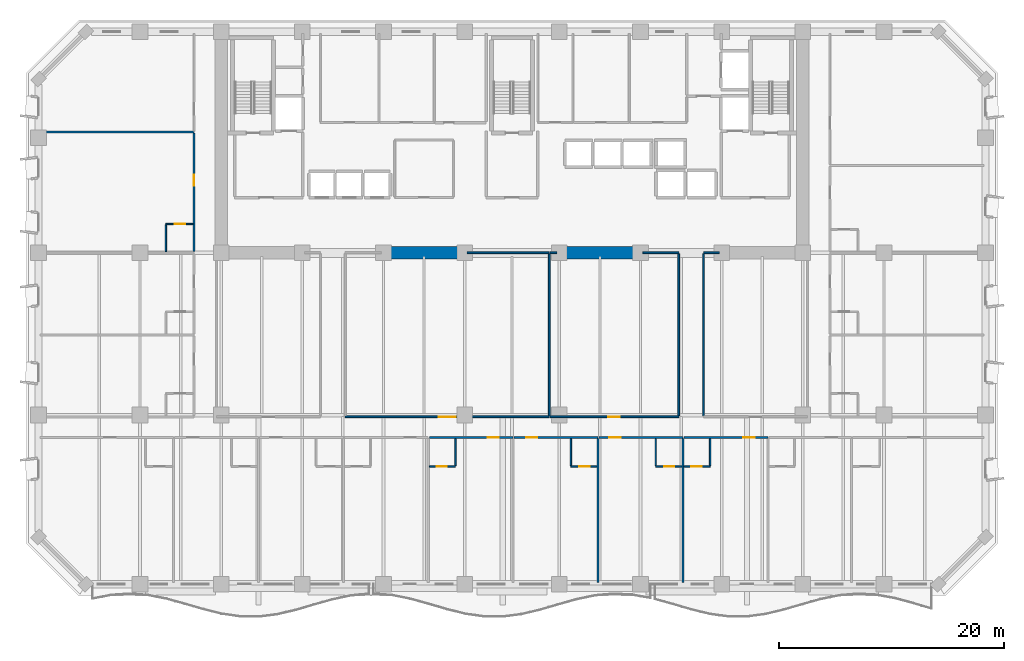
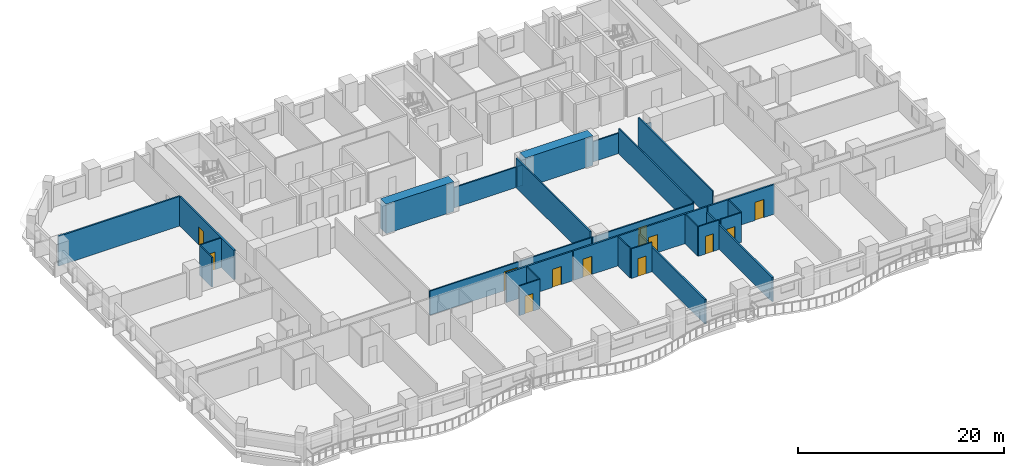
# One storey, part 6 of 15: 29 walls, 12 doors, 12 openings.
"""IFC4 building model written with IfcOpenShell, lengths in metres."""

from ifc_helpers import new_model, si_unit, direction, frame, frame_2d, origin, place, context, subcontext, project, spatial, rectangle, extrude, material, layer, layer_set, type_object, element, fill, save


model = new_model("IFC4")

# Units and contexts
model_context = context("Model", 3, precision=1e-05, world=origin(), true_north=direction((0.0, 1.0)))
body_context = subcontext(model_context, "Body", "Model", "MODEL_VIEW")
ifc_project = project(units=[si_unit("LENGTHUNIT", "METRE"), si_unit("AREAUNIT", "SQUARE_METRE"), si_unit("VOLUMEUNIT", "CUBIC_METRE"), si_unit("PLANEANGLEUNIT", "RADIAN"), si_unit("MASSUNIT", "GRAM", prefix="KILO")], contexts=[model_context])

# Site, building, storey
site_placement = place(None, origin())
site = spatial("IfcSite", under=ifc_project, at=site_placement, CompositionType="ELEMENT")
building_placement = place(site_placement, origin())
building = spatial("IfcBuilding", under=site, at=building_placement, Name="Kaelvorn Grand Hotel", CompositionType="ELEMENT")
storey_placement = place(building_placement, frame((0.0, 0.0, 68.89990234375)))
storey = spatial("IfcBuildingStorey", under=building, at=storey_placement, Name="L15", CompositionType="ELEMENT", Elevation=68.89990234375)

# Walls
ifc_material_1 = material(Name="Concrete C80/95", Category="concrete")
ifc_layer_1 = layer(ifc_material_1, 1.10009765625)
ifc_layer_set_1 = layer_set([ifc_layer_1], Name="Concrete C80/95")
wall_type_1 = type_object("IfcWallType", Name="WL-CORE-1100-C80", PredefinedType="SHEAR", material=ifc_layer_set_1)
for number, where, z_axis, x_axis, name in (
    (1, (30.39990234375, 29.39990234375, 0.0), (0.0, 0.0, 1.0), (1.0, 0.0, 0.0), "L15 Rear-Core Coupled Shear Pier S2"),
    (2, (46.0, 29.39990234375, 0.0), (0.0, 0.0, 1.0), (1.0, 0.0, 0.0), "L15 Rear-Core Coupled Shear Pier S3"),
):
    element("IfcWall", number, at=place(storey_placement, frame(where, z_axis=z_axis, x_axis=x_axis)), inside=storey, type_object=wall_type_1, Name=name, PredefinedType="SHEAR", context=body_context, shape_type="SweptSolid", body=[
        extrude(rectangle(XDim=7.60009765625, YDim=1.10009765625, at=frame_2d((3.800048828125, 0.0))), origin(), (0.0, 0.0, 1.0), 3.510009765625),
    ])

# Wall, opening, door
ifc_material_2 = material(Name="Moisture-Resistant Tile & Stud Board")
ifc_layer_2 = layer(ifc_material_2, 0.125)
ifc_layer_set_2 = layer_set([ifc_layer_2], Name="Moisture-Resistant Tile & Stud Board")
wall_type_2 = type_object("IfcWallType", Name="WL-PART-125-WET", PredefinedType="PARTITIONING", material=ifc_layer_set_2)
wall_1_placement = place(storey_placement, frame((34.665283203125, 10.449951171875, 0.0), z_axis=(0.0, 0.0, 1.0), x_axis=(1.0, 0.0, 0.0)))
wall_1 = element("IfcWall", 3, at=wall_1_placement, inside=storey, type_object=wall_type_2, Name="L15 En-suite Bathroom L15-05 S Partition", PredefinedType="PARTITIONING", context=body_context, shape_type="SweptSolid", body=[
    extrude(rectangle(XDim=2.31494140625, YDim=0.125, at=frame_2d((1.157470703125, 0.0))), origin(), (0.0, 0.0, 1.0), 3.510009765625),
])
opening_1_placement = place(wall_1_placement, frame((0.659912109375, 0.0, 0.0)))
opening_1 = element("IfcOpeningElement", 4, at=opening_1_placement, cuts=wall_1, Name="Opening DI4", PredefinedType="OPENING", context=body_context, shape_type="SweptSolid", body=[
    extrude(rectangle(XDim=0.89990234375, YDim=2.10009765625, at=frame_2d((0.449951171875, 1.050048828125))), frame((0.0, 0.072509765625, 0.0), z_axis=(0.0, -1.0, 0.0), x_axis=(1.0, 0.0, 0.0)), (0.0, 0.0, 1.0), 0.14501953125),
])
ifc_material_3 = material(Name="Timber Veneer Leaf", Category="wood")
door_type_1 = type_object("IfcDoorType", Name="DR-INT-BATH-900x2100", OperationType="NOTDEFINED", PredefinedType="DOOR", material=ifc_material_3)
door_1_placement = place(opening_1_placement, origin())
door_1 = element("IfcDoor", 5, at=door_1_placement, inside=storey, type_object=door_type_1, Name="L15 En-suite Bathroom L15-05 Door", OperationType="SINGLE_SWING_LEFT", OverallHeight=2.10009765625, OverallWidth=0.89990234375, PredefinedType="DOOR", context=body_context, shape_type="SweptSolid", body=[
    extrude(rectangle(XDim=0.89990234375, YDim=2.10009765625, at=frame_2d((0.449951171875, 1.050048828125))), frame((0.0, 0.02490234375, 0.0), z_axis=(0.0, -1.0, 0.0), x_axis=(1.0, 0.0, 0.0)), (0.0, 0.0, 1.0), 0.050048828125),
])
fill(opening_1, door_1)

# Wall
wall_2_placement = place(storey_placement, frame((36.980224609375, 10.517578125, 0.0), z_axis=(0.0, 0.0, 1.0), x_axis=(0.0, 1.0, 0.0)))
element("IfcWall", 6, at=wall_2_placement, inside=storey, type_object=wall_type_2, Name="L15 En-suite Bathroom L15-05 E Partition", PredefinedType="PARTITIONING", context=body_context, shape_type="SweptSolid", body=[
    extrude(rectangle(XDim=2.387451171875, YDim=0.125, at=frame_2d((1.19384765625, 0.0))), origin(), (0.0, 0.0, 1.0), 3.510009765625),
])

# Wall, opening, door
wall_3_placement = place(storey_placement, frame((47.220458984375, 10.449951171875, 0.0), z_axis=(0.0, 0.0, 1.0), x_axis=(1.0, 0.0, 0.0)))
wall_3 = element("IfcWall", 7, at=wall_3_placement, inside=storey, type_object=wall_type_2, Name="L15 En-suite Bathroom L15-06 S Partition", PredefinedType="PARTITIONING", context=body_context, shape_type="SweptSolid", body=[
    extrude(rectangle(XDim=2.31494140625, YDim=0.125, at=frame_2d((1.157470703125, 0.0))), origin(), (0.0, 0.0, 1.0), 3.510009765625),
])
opening_2_placement = place(wall_3_placement, frame((0.7548828125, 0.0, 0.0)))
opening_2 = element("IfcOpeningElement", 8, at=opening_2_placement, cuts=wall_3, Name="Opening DI4", PredefinedType="OPENING", context=body_context, shape_type="SweptSolid", body=[
    extrude(rectangle(XDim=0.89990234375, YDim=2.10009765625, at=frame_2d((0.449951171875, 1.050048828125))), frame((0.0, 0.072509765625, 0.0), z_axis=(0.0, -1.0, 0.0), x_axis=(1.0, 0.0, 0.0)), (0.0, 0.0, 1.0), 0.14501953125),
])
door_2_placement = place(opening_2_placement, origin())
door_2 = element("IfcDoor", 9, at=door_2_placement, inside=storey, type_object=door_type_1, Name="L15 En-suite Bathroom L15-06 Door", OperationType="SINGLE_SWING_LEFT", OverallHeight=2.10009765625, OverallWidth=0.89990234375, PredefinedType="DOOR", context=body_context, shape_type="SweptSolid", body=[
    extrude(rectangle(XDim=0.89990234375, YDim=2.10009765625, at=frame_2d((0.449951171875, 1.050048828125))), frame((0.0, 0.02490234375, 0.0), z_axis=(0.0, -1.0, 0.0), x_axis=(1.0, 0.0, 0.0)), (0.0, 0.0, 1.0), 0.050048828125),
])
fill(opening_2, door_2)

# Wall
wall_4_placement = place(storey_placement, frame((47.220458984375, 10.517578125, 0.0), z_axis=(0.0, 0.0, 1.0), x_axis=(0.0, 1.0, 0.0)))
element("IfcWall", 10, at=wall_4_placement, inside=storey, type_object=wall_type_2, Name="L15 En-suite Bathroom L15-06 W Partition", PredefinedType="PARTITIONING", context=body_context, shape_type="SweptSolid", body=[
    extrude(rectangle(XDim=2.387451171875, YDim=0.125, at=frame_2d((1.19384765625, 0.0))), origin(), (0.0, 0.0, 1.0), 3.510009765625),
])

# Wall, opening, door
wall_5_placement = place(storey_placement, frame((54.75048828125, 10.449951171875, 0.0), z_axis=(0.0, 0.0, 1.0), x_axis=(1.0, 0.0, 0.0)))
wall_5 = element("IfcWall", 11, at=wall_5_placement, inside=storey, type_object=wall_type_2, Name="L15 En-suite Bathroom L15-07 S Partition", PredefinedType="PARTITIONING", context=body_context, shape_type="SweptSolid", body=[
    extrude(rectangle(XDim=2.315185546875, YDim=0.125, at=frame_2d((1.15771484375, 0.0))), origin(), (0.0, 0.0, 1.0), 3.510009765625),
])
opening_3_placement = place(wall_5_placement, frame((0.7548828125, 0.0, 0.0)))
opening_3 = element("IfcOpeningElement", 12, at=opening_3_placement, cuts=wall_5, Name="Opening DI4", PredefinedType="OPENING", context=body_context, shape_type="SweptSolid", body=[
    extrude(rectangle(XDim=0.89990234375, YDim=2.10009765625, at=frame_2d((0.449951171875, 1.050048828125))), frame((0.0, 0.072509765625, 0.0), z_axis=(0.0, -1.0, 0.0), x_axis=(1.0, 0.0, 0.0)), (0.0, 0.0, 1.0), 0.14501953125),
])
door_3_placement = place(opening_3_placement, origin())
door_3 = element("IfcDoor", 13, at=door_3_placement, inside=storey, type_object=door_type_1, Name="L15 En-suite Bathroom L15-07 Door", OperationType="SINGLE_SWING_LEFT", OverallHeight=2.10009765625, OverallWidth=0.89990234375, PredefinedType="DOOR", context=body_context, shape_type="SweptSolid", body=[
    extrude(rectangle(XDim=0.89990234375, YDim=2.10009765625, at=frame_2d((0.449951171875, 1.050048828125))), frame((0.0, 0.02490234375, 0.0), z_axis=(0.0, -1.0, 0.0), x_axis=(1.0, 0.0, 0.0)), (0.0, 0.0, 1.0), 0.050048828125),
])
fill(opening_3, door_3)

# Wall
wall_6_placement = place(storey_placement, frame((54.75048828125, 10.517578125, 0.0), z_axis=(0.0, 0.0, 1.0), x_axis=(0.0, 1.0, 0.0)))
element("IfcWall", 14, at=wall_6_placement, inside=storey, type_object=wall_type_2, Name="L15 En-suite Bathroom L15-07 W Partition", PredefinedType="PARTITIONING", context=body_context, shape_type="SweptSolid", body=[
    extrude(rectangle(XDim=2.387451171875, YDim=0.125, at=frame_2d((1.19384765625, 0.0))), origin(), (0.0, 0.0, 1.0), 3.510009765625),
])

# Wall, opening, door
wall_7_placement = place(storey_placement, frame((57.255615234375, 10.449951171875, 0.0), z_axis=(0.0, 0.0, 1.0), x_axis=(1.0, 0.0, 0.0)))
wall_7 = element("IfcWall", 15, at=wall_7_placement, inside=storey, type_object=wall_type_2, Name="L15 En-suite Bathroom L15-08 S Partition", PredefinedType="PARTITIONING", context=body_context, shape_type="SweptSolid", body=[
    extrude(rectangle(XDim=2.31494140625, YDim=0.125, at=frame_2d((1.157470703125, 0.0))), origin(), (0.0, 0.0, 1.0), 3.510009765625),
])
opening_4_placement = place(wall_7_placement, frame((0.659912109375, 0.0, 0.0)))
opening_4 = element("IfcOpeningElement", 16, at=opening_4_placement, cuts=wall_7, Name="Opening DI4", PredefinedType="OPENING", context=body_context, shape_type="SweptSolid", body=[
    extrude(rectangle(XDim=0.89990234375, YDim=2.10009765625, at=frame_2d((0.449951171875, 1.050048828125))), frame((0.0, 0.072509765625, 0.0), z_axis=(0.0, -1.0, 0.0), x_axis=(1.0, 0.0, 0.0)), (0.0, 0.0, 1.0), 0.14501953125),
])
door_4_placement = place(opening_4_placement, origin())
door_4 = element("IfcDoor", 17, at=door_4_placement, inside=storey, type_object=door_type_1, Name="L15 En-suite Bathroom L15-08 Door", OperationType="SINGLE_SWING_LEFT", OverallHeight=2.10009765625, OverallWidth=0.89990234375, PredefinedType="DOOR", context=body_context, shape_type="SweptSolid", body=[
    extrude(rectangle(XDim=0.89990234375, YDim=2.10009765625, at=frame_2d((0.449951171875, 1.050048828125))), frame((0.0, 0.02490234375, 0.0), z_axis=(0.0, -1.0, 0.0), x_axis=(1.0, 0.0, 0.0)), (0.0, 0.0, 1.0), 0.050048828125),
])
fill(opening_4, door_4)

# Wall
wall_8_placement = place(storey_placement, frame((59.570556640625, 10.517578125, 0.0), z_axis=(0.0, 0.0, 1.0), x_axis=(0.0, 1.0, 0.0)))
element("IfcWall", 18, at=wall_8_placement, inside=storey, type_object=wall_type_2, Name="L15 En-suite Bathroom L15-08 E Partition", PredefinedType="PARTITIONING", context=body_context, shape_type="SweptSolid", body=[
    extrude(rectangle(XDim=2.387451171875, YDim=0.125, at=frame_2d((1.19384765625, 0.0))), origin(), (0.0, 0.0, 1.0), 3.510009765625),
])

# Wall, opening, door
wall_9_placement = place(storey_placement, frame((11.300048828125, 31.949951171875, 0.0), z_axis=(0.0, 0.0, 1.0), x_axis=(1.0, 0.0, 0.0)))
wall_9 = element("IfcWall", 19, at=wall_9_placement, inside=storey, type_object=wall_type_2, Name="L15 En-suite Bathroom L15-15 N Partition", PredefinedType="PARTITIONING", context=body_context, shape_type="SweptSolid", body=[
    extrude(rectangle(XDim=2.405029296875, YDim=0.125, at=frame_2d((1.20263671875, 0.0))), origin(), (0.0, 0.0, 1.0), 3.510009765625),
])
opening_5_placement = place(wall_9_placement, frame((0.800048828125, 0.0, 0.0)))
opening_5 = element("IfcOpeningElement", 20, at=opening_5_placement, cuts=wall_9, Name="Opening DI4", PredefinedType="OPENING", context=body_context, shape_type="SweptSolid", body=[
    extrude(rectangle(XDim=0.89990234375, YDim=2.10009765625, at=frame_2d((0.449951171875, 1.050048828125))), frame((0.0, 0.072509765625, 0.0), z_axis=(0.0, -1.0, 0.0), x_axis=(1.0, 0.0, 0.0)), (0.0, 0.0, 1.0), 0.14501953125),
])
door_5_placement = place(opening_5_placement, origin())
door_5 = element("IfcDoor", 21, at=door_5_placement, inside=storey, type_object=door_type_1, Name="L15 En-suite Bathroom L15-15 Door", OperationType="SINGLE_SWING_RIGHT", OverallHeight=2.10009765625, OverallWidth=0.89990234375, PredefinedType="DOOR", context=body_context, shape_type="SweptSolid", body=[
    extrude(rectangle(XDim=0.89990234375, YDim=2.10009765625, at=frame_2d((0.449951171875, 1.050048828125))), frame((0.0, 0.02490234375, 0.0), z_axis=(0.0, -1.0, 0.0), x_axis=(1.0, 0.0, 0.0)), (0.0, 0.0, 1.0), 0.050048828125),
])
fill(opening_5, door_5)

# Wall
wall_10_placement = place(storey_placement, frame((11.300048828125, 29.4951171875, 0.0), z_axis=(0.0, 0.0, 1.0), x_axis=(0.0, 1.0, 0.0)))
element("IfcWall", 22, at=wall_10_placement, inside=storey, type_object=wall_type_2, Name="L15 En-suite Bathroom L15-15 W Partition", PredefinedType="PARTITIONING", context=body_context, shape_type="SweptSolid", body=[
    extrude(rectangle(XDim=2.387451171875, YDim=0.125, at=frame_2d((1.19384765625, 0.0))), origin(), (0.0, 0.0, 1.0), 3.510009765625),
])

# Wall, opening, door
ifc_material_4 = material(Name="Acoustic Gypsum & Stud Partition")
ifc_layer_3 = layer(ifc_material_4, 0.14990234375)
ifc_layer_set_3 = layer_set([ifc_layer_3], Name="Acoustic Gypsum & Stud Partition")
wall_type_3 = type_object("IfcWallType", Name="WL-PART-150-EI60", PredefinedType="PARTITIONING", material=ifc_layer_set_3)
wall_11_placement = place(storey_placement, frame((27.199951171875, 14.85009765625, 0.0), z_axis=(0.0, 0.0, 1.0), x_axis=(1.0, 0.0, 0.0)))
wall_11 = element("IfcWall", 23, at=wall_11_placement, inside=storey, type_object=wall_type_3, Name="L15 Guest Pantry Kitchen S Partition", PredefinedType="PARTITIONING", context=body_context, shape_type="SweptSolid", body=[
    extrude(rectangle(XDim=18.10009765625, YDim=0.14990234375, at=frame_2d((9.050048828125, 0.0))), origin(), (0.0, 0.0, 1.0), 2.860107421875),
])
opening_6_placement = place(wall_11_placement, frame((8.300048828125, 0.0, 0.0)))
opening_6 = element("IfcOpeningElement", 24, at=opening_6_placement, cuts=wall_11, Name="Opening DI5", PredefinedType="OPENING", context=body_context, shape_type="SweptSolid", body=[
    extrude(rectangle(XDim=1.5, YDim=2.25, at=frame_2d((0.75, 1.125))), frame((0.0, 0.0849609375, 0.0), z_axis=(0.0, -1.0, 0.0), x_axis=(1.0, 0.0, 0.0)), (0.0, 0.0, 1.0), 0.169921875),
])
ifc_material_5 = material(Name="Timber Veneer Fire Leaf", Category="wood")
door_type_2 = type_object("IfcDoorType", Name="DR-INT-SALON-1500x2250", OperationType="DOUBLE_DOOR_SINGLE_SWING", PredefinedType="DOOR", material=ifc_material_5)
door_6_placement = place(opening_6_placement, origin())
door_6 = element("IfcDoor", 25, at=door_6_placement, inside=storey, type_object=door_type_2, Name="L15 Guest Pantry Kitchen Door", OperationType="DOUBLE_DOOR_SINGLE_SWING", OverallHeight=2.25, OverallWidth=1.5, PredefinedType="DOOR", context=body_context, shape_type="SweptSolid", body=[
    extrude(rectangle(XDim=1.5, YDim=2.25, at=frame_2d((0.75, 1.125))), frame((0.0, 0.02490234375, 0.0), z_axis=(0.0, -1.0, 0.0), x_axis=(1.0, 0.0, 0.0)), (0.0, 0.0, 1.0), 0.050048828125),
])
fill(opening_6, door_6)

# Walls
wall_12_placement = place(storey_placement, frame((38.010009765625, 29.39990234375, 0.0), z_axis=(0.0, 0.0, 1.0), x_axis=(1.0, 0.0, 0.0)))
element("IfcWall", 26, at=wall_12_placement, inside=storey, type_object=wall_type_3, Name="L15 Guest Pantry Kitchen N Partition (2)", PredefinedType="PARTITIONING", context=body_context, shape_type="SweptSolid", body=[
    extrude(rectangle(XDim=7.2900390625, YDim=0.14990234375, at=frame_2d((3.64501953125, 0.0))), origin(), (0.0, 0.0, 1.0), 2.41015625),
])
wall_13_placement = place(storey_placement, frame((45.300048828125, 14.929931640625, 0.0), z_axis=(0.0, 0.0, 1.0), x_axis=(0.0, 1.0, 0.0)))
element("IfcWall", 27, at=wall_13_placement, inside=storey, type_object=wall_type_3, Name="L15 Guest Pantry Kitchen E Partition", PredefinedType="PARTITIONING", context=body_context, shape_type="SweptSolid", body=[
    extrude(rectangle(XDim=14.39013671875, YDim=0.14990234375, at=frame_2d((7.195068359375, 0.0))), origin(), (0.0, 0.0, 1.0), 3.510009765625),
])

# Wall, opening, door
wall_14_placement = place(storey_placement, frame((45.3798828125, 14.85009765625, 0.0), z_axis=(0.0, 0.0, 1.0), x_axis=(1.0, 0.0, 0.0)))
wall_14 = element("IfcWall", 28, at=wall_14_placement, inside=storey, type_object=wall_type_3, Name="L15 Diplomatic Living Room S Partition", PredefinedType="PARTITIONING", context=body_context, shape_type="SweptSolid", body=[
    extrude(rectangle(XDim=11.420166015625, YDim=0.14990234375, at=frame_2d((5.7099609375, 0.0))), origin(), (0.0, 0.0, 1.0), 2.860107421875),
])
opening_7_placement = place(wall_14_placement, frame((5.169921875, 0.0, 0.0)))
opening_7 = element("IfcOpeningElement", 29, at=opening_7_placement, cuts=wall_14, Name="Opening DI3", PredefinedType="OPENING", context=body_context, shape_type="SweptSolid", body=[
    extrude(rectangle(XDim=1.0, YDim=2.14990234375, at=frame_2d((0.5, 1.074951171875))), frame((0.0, 0.0849609375, 0.0), z_axis=(0.0, -1.0, 0.0), x_axis=(1.0, 0.0, 0.0)), (0.0, 0.0, 1.0), 0.169921875),
])
door_type_3 = type_object("IfcDoorType", Name="DR-INT-GUEST-1000x2150", OperationType="NOTDEFINED", PredefinedType="DOOR", material=ifc_material_5)
door_7_placement = place(opening_7_placement, origin())
door_7 = element("IfcDoor", 30, at=door_7_placement, inside=storey, type_object=door_type_3, Name="L15 Diplomatic Living Room Door", OperationType="SINGLE_SWING_LEFT", OverallHeight=2.14990234375, OverallWidth=1.0, PredefinedType="DOOR", context=body_context, shape_type="SweptSolid", body=[
    extrude(rectangle(XDim=1.0, YDim=2.14990234375, at=frame_2d((0.5, 1.074951171875))), frame((0.0, 0.02490234375, 0.0), z_axis=(0.0, -1.0, 0.0), x_axis=(1.0, 0.0, 0.0)), (0.0, 0.0, 1.0), 0.050048828125),
])
fill(opening_7, door_7)

# Walls
wall_15_placement = place(storey_placement, frame((45.3798828125, 29.39990234375, 0.0), z_axis=(0.0, 0.0, 1.0), x_axis=(1.0, 0.0, 0.0)))
element("IfcWall", 31, at=wall_15_placement, inside=storey, type_object=wall_type_3, Name="L15 Diplomatic Living Room N Partition (1)", PredefinedType="PARTITIONING", context=body_context, shape_type="SweptSolid", body=[
    extrude(rectangle(XDim=0.610107421875, YDim=0.14990234375, at=frame_2d((0.30517578125, 0.0))), origin(), (0.0, 0.0, 1.0), 2.41015625),
])
wall_16_placement = place(storey_placement, frame((53.610107421875, 29.39990234375, 0.0), z_axis=(0.0, 0.0, 1.0), x_axis=(1.0, 0.0, 0.0)))
element("IfcWall", 32, at=wall_16_placement, inside=storey, type_object=wall_type_3, Name="L15 Diplomatic Living Room N Partition (2)", PredefinedType="PARTITIONING", context=body_context, shape_type="SweptSolid", body=[
    extrude(rectangle(XDim=3.18994140625, YDim=0.14990234375, at=frame_2d((1.594970703125, 0.0))), origin(), (0.0, 0.0, 1.0), 2.41015625),
])
wall_17_placement = place(storey_placement, frame((56.800048828125, 14.929931640625, 0.0), z_axis=(0.0, 0.0, 1.0), x_axis=(0.0, 1.0, 0.0)))
element("IfcWall", 33, at=wall_17_placement, inside=storey, type_object=wall_type_3, Name="L15 Diplomatic Living Room E Partition", PredefinedType="PARTITIONING", context=body_context, shape_type="SweptSolid", body=[
    extrude(rectangle(XDim=14.39013671875, YDim=0.14990234375, at=frame_2d((7.195068359375, 0.0))), origin(), (0.0, 0.0, 1.0), 2.97705078125),
])
wall_18_placement = place(storey_placement, frame((59.0, 29.39990234375, 0.0), z_axis=(0.0, 0.0, 1.0), x_axis=(1.0, 0.0, 0.0)))
element("IfcWall", 34, at=wall_18_placement, inside=storey, type_object=wall_type_3, Name="L15 Executive Meeting Room N Partition", PredefinedType="PARTITIONING", context=body_context, shape_type="SweptSolid", body=[
    extrude(rectangle(XDim=1.389892578125, YDim=0.14990234375, at=frame_2d((0.69482421875, 0.0))), origin(), (0.0, 0.0, 1.0), 2.41015625),
])
wall_19_placement = place(storey_placement, frame((59.0, 14.929931640625, 0.0), z_axis=(0.0, 0.0, 1.0), x_axis=(0.0, 1.0, 0.0)))
element("IfcWall", 35, at=wall_19_placement, inside=storey, type_object=wall_type_3, Name="L15 Executive Meeting Room W Partition", PredefinedType="PARTITIONING", context=body_context, shape_type="SweptSolid", body=[
    extrude(rectangle(XDim=14.39013671875, YDim=0.14990234375, at=frame_2d((7.195068359375, 0.0))), origin(), (0.0, 0.0, 1.0), 3.510009765625),
])

# Wall, opening, door
ifc_layer_4 = layer(ifc_material_4, 0.179931640625)
ifc_layer_set_4 = layer_set([ifc_layer_4], Name="Acoustic Gypsum & Stud Partition")
wall_type_4 = type_object("IfcWallType", Name="WL-PART-180-EI60", PredefinedType="PARTITIONING", material=ifc_layer_set_4)
wall_20_placement = place(storey_placement, frame((34.665283203125, 13.0, 0.0), z_axis=(0.0, 0.0, 1.0), x_axis=(1.0, 0.0, 0.0)))
wall_20 = element("IfcWall", 36, at=wall_20_placement, inside=storey, type_object=wall_type_4, Name="L15 Deluxe Panoramic Suite L15-05 N Partition", PredefinedType="PARTITIONING", context=body_context, shape_type="SweptSolid", body=[
    extrude(rectangle(XDim=7.43505859375, YDim=0.179931640625, at=frame_2d((3.717529296875, 0.0))), origin(), (0.0, 0.0, 1.0), 3.510009765625),
])
opening_8_placement = place(wall_20_placement, frame((5.1748046875, 0.0, 0.0)))
opening_8 = element("IfcOpeningElement", 37, at=opening_8_placement, cuts=wall_20, Name="Opening DI3", PredefinedType="OPENING", context=body_context, shape_type="SweptSolid", body=[
    extrude(rectangle(XDim=1.0, YDim=2.14990234375, at=frame_2d((0.5, 1.074951171875))), frame((0.0, 0.10009765625, 0.0), z_axis=(0.0, -1.0, 0.0), x_axis=(1.0, 0.0, 0.0)), (0.0, 0.0, 1.0), 0.199951171875),
])
door_8_placement = place(opening_8_placement, origin())
door_8 = element("IfcDoor", 38, at=door_8_placement, inside=storey, type_object=door_type_3, Name="L15 Deluxe Panoramic Suite L15-05 Door", OperationType="SINGLE_SWING_RIGHT", OverallHeight=2.14990234375, OverallWidth=1.0, PredefinedType="DOOR", context=body_context, shape_type="SweptSolid", body=[
    extrude(rectangle(XDim=1.0, YDim=2.14990234375, at=frame_2d((0.5, 1.074951171875))), frame((0.0, 0.02490234375, 0.0), z_axis=(0.0, -1.0, 0.0), x_axis=(1.0, 0.0, 0.0)), (0.0, 0.0, 1.0), 0.050048828125),
])
fill(opening_8, door_8)

wall_21_placement = place(storey_placement, frame((42.1953125, 13.0, 0.0), z_axis=(0.0, 0.0, 1.0), x_axis=(1.0, 0.0, 0.0)))
wall_21 = element("IfcWall", 39, at=wall_21_placement, inside=storey, type_object=wall_type_4, Name="L15 Deluxe Panoramic Suite L15-06 N Partition", PredefinedType="PARTITIONING", context=body_context, shape_type="SweptSolid", body=[
    extrude(rectangle(XDim=7.435302734375, YDim=0.179931640625, at=frame_2d((3.7177734375, 0.0))), origin(), (0.0, 0.0, 1.0), 3.510009765625),
])
opening_9_placement = place(wall_21_placement, frame((1.064697265625, 0.0, 0.0)))
opening_9 = element("IfcOpeningElement", 40, at=opening_9_placement, cuts=wall_21, Name="Opening DI3", PredefinedType="OPENING", context=body_context, shape_type="SweptSolid", body=[
    extrude(rectangle(XDim=1.0, YDim=2.14990234375, at=frame_2d((0.5, 1.074951171875))), frame((0.0, 0.10009765625, 0.0), z_axis=(0.0, -1.0, 0.0), x_axis=(1.0, 0.0, 0.0)), (0.0, 0.0, 1.0), 0.199951171875),
])
door_9_placement = place(opening_9_placement, origin())
door_9 = element("IfcDoor", 41, at=door_9_placement, inside=storey, type_object=door_type_3, Name="L15 Deluxe Panoramic Suite L15-06 Door", OperationType="SINGLE_SWING_RIGHT", OverallHeight=2.14990234375, OverallWidth=1.0, PredefinedType="DOOR", context=body_context, shape_type="SweptSolid", body=[
    extrude(rectangle(XDim=1.0, YDim=2.14990234375, at=frame_2d((0.5, 1.074951171875))), frame((0.0, 0.02490234375, 0.0), z_axis=(0.0, -1.0, 0.0), x_axis=(1.0, 0.0, 0.0)), (0.0, 0.0, 1.0), 0.050048828125),
])
fill(opening_9, door_9)

# Wall
wall_22_placement = place(storey_placement, frame((49.630615234375, 0.14990234375, 0.0), z_axis=(0.0, 0.0, 1.0), x_axis=(0.0, 1.0, 0.0)))
element("IfcWall", 42, at=wall_22_placement, inside=storey, type_object=wall_type_4, Name="L15 Deluxe Panoramic Suite L15-06 E Partition", PredefinedType="PARTITIONING", context=body_context, shape_type="SweptSolid", body=[
    extrude(rectangle(XDim=12.755126953125, YDim=0.179931640625, at=frame_2d((6.37744140625, 0.0))), origin(), (0.0, 0.0, 1.0), 2.89794921875),
])

# Wall, opening, door
wall_23_placement = place(storey_placement, frame((49.7255859375, 13.0, 0.0), z_axis=(0.0, 0.0, 1.0), x_axis=(1.0, 0.0, 0.0)))
wall_23 = element("IfcWall", 43, at=wall_23_placement, inside=storey, type_object=wall_type_4, Name="L15 Deluxe Panoramic Suite L15-07 N Partition", PredefinedType="PARTITIONING", context=body_context, shape_type="SweptSolid", body=[
    extrude(rectangle(XDim=7.43505859375, YDim=0.179931640625, at=frame_2d((3.717529296875, 0.0))), origin(), (0.0, 0.0, 1.0), 3.510009765625),
])
opening_10_placement = place(wall_23_placement, frame((0.899658203125, 0.0, 0.0)))
opening_10 = element("IfcOpeningElement", 44, at=opening_10_placement, cuts=wall_23, Name="Opening DI3", PredefinedType="OPENING", context=body_context, shape_type="SweptSolid", body=[
    extrude(rectangle(XDim=1.0, YDim=2.14990234375, at=frame_2d((0.5, 1.074951171875))), frame((0.0, 0.10009765625, 0.0), z_axis=(0.0, -1.0, 0.0), x_axis=(1.0, 0.0, 0.0)), (0.0, 0.0, 1.0), 0.199951171875),
])
door_10_placement = place(opening_10_placement, origin())
door_10 = element("IfcDoor", 45, at=door_10_placement, inside=storey, type_object=door_type_3, Name="L15 Deluxe Panoramic Suite L15-07 Door", OperationType="SINGLE_SWING_RIGHT", OverallHeight=2.14990234375, OverallWidth=1.0, PredefinedType="DOOR", context=body_context, shape_type="SweptSolid", body=[
    extrude(rectangle(XDim=1.0, YDim=2.14990234375, at=frame_2d((0.5, 1.074951171875))), frame((0.0, 0.02490234375, 0.0), z_axis=(0.0, -1.0, 0.0), x_axis=(1.0, 0.0, 0.0)), (0.0, 0.0, 1.0), 0.050048828125),
])
fill(opening_10, door_10)

# Wall
wall_24_placement = place(storey_placement, frame((57.16064453125, 0.14990234375, 0.0), z_axis=(0.0, 0.0, 1.0), x_axis=(0.0, 1.0, 0.0)))
element("IfcWall", 46, at=wall_24_placement, inside=storey, type_object=wall_type_4, Name="L15 Deluxe Panoramic Suite L15-07 E Partition", PredefinedType="PARTITIONING", context=body_context, shape_type="SweptSolid", body=[
    extrude(rectangle(XDim=12.755126953125, YDim=0.179931640625, at=frame_2d((6.37744140625, 0.0))), origin(), (0.0, 0.0, 1.0), 2.89794921875),
])

# Wall, opening, door
wall_25_placement = place(storey_placement, frame((57.255615234375, 13.0, 0.0), z_axis=(0.0, 0.0, 1.0), x_axis=(1.0, 0.0, 0.0)))
wall_25 = element("IfcWall", 47, at=wall_25_placement, inside=storey, type_object=wall_type_4, Name="L15 Deluxe Panoramic Suite L15-08 N Partition", PredefinedType="PARTITIONING", context=body_context, shape_type="SweptSolid", body=[
    extrude(rectangle(XDim=7.43505859375, YDim=0.179931640625, at=frame_2d((3.717529296875, 0.0))), origin(), (0.0, 0.0, 1.0), 3.510009765625),
])
opening_11_placement = place(wall_25_placement, frame((5.27978515625, 0.0, 0.0)))
opening_11 = element("IfcOpeningElement", 48, at=opening_11_placement, cuts=wall_25, Name="Opening DI3", PredefinedType="OPENING", context=body_context, shape_type="SweptSolid", body=[
    extrude(rectangle(XDim=1.0, YDim=2.14990234375, at=frame_2d((0.5, 1.074951171875))), frame((0.0, 0.10009765625, 0.0), z_axis=(0.0, -1.0, 0.0), x_axis=(1.0, 0.0, 0.0)), (0.0, 0.0, 1.0), 0.199951171875),
])
door_11_placement = place(opening_11_placement, origin())
door_11 = element("IfcDoor", 49, at=door_11_placement, inside=storey, type_object=door_type_3, Name="L15 Deluxe Panoramic Suite L15-08 Door", OperationType="SINGLE_SWING_RIGHT", OverallHeight=2.14990234375, OverallWidth=1.0, PredefinedType="DOOR", context=body_context, shape_type="SweptSolid", body=[
    extrude(rectangle(XDim=1.0, YDim=2.14990234375, at=frame_2d((0.5, 1.074951171875))), frame((0.0, 0.02490234375, 0.0), z_axis=(0.0, -1.0, 0.0), x_axis=(1.0, 0.0, 0.0)), (0.0, 0.0, 1.0), 0.050048828125),
])
fill(opening_11, door_11)

# Wall
wall_26_placement = place(storey_placement, frame((0.14990234375, 40.10009765625, 0.0), z_axis=(0.0, 0.0, 1.0), x_axis=(1.0, 0.0, 0.0)))
element("IfcWall", 50, at=wall_26_placement, inside=storey, type_object=wall_type_4, Name="L15 North-West Wing Suite L15-15 N Partition", PredefinedType="PARTITIONING", context=body_context, shape_type="SweptSolid", body=[
    extrude(rectangle(XDim=13.650146484375, YDim=0.179931640625, at=frame_2d((6.8251953125, 0.0))), origin(), (0.0, 0.0, 1.0), 3.510009765625),
])

# Wall, opening, door
wall_27_placement = place(storey_placement, frame((13.800048828125, 29.4951171875, 0.0), z_axis=(0.0, 0.0, 1.0), x_axis=(0.0, 1.0, 0.0)))
wall_27 = element("IfcWall", 51, at=wall_27_placement, inside=storey, type_object=wall_type_4, Name="L15 North-West Wing Suite L15-15 E Partition", PredefinedType="PARTITIONING", context=body_context, shape_type="SweptSolid", body=[
    extrude(rectangle(XDim=10.509765625, YDim=0.179931640625, at=frame_2d((5.2548828125, 0.0))), origin(), (0.0, 0.0, 1.0), 3.510009765625),
])
opening_12_placement = place(wall_27_placement, frame((5.840087890625, 0.0, 0.0)))
opening_12 = element("IfcOpeningElement", 52, at=opening_12_placement, cuts=wall_27, Name="Opening DI3", PredefinedType="OPENING", context=body_context, shape_type="SweptSolid", body=[
    extrude(rectangle(XDim=1.0, YDim=2.14990234375, at=frame_2d((0.5, 1.074951171875))), frame((0.0, 0.10009765625, 0.0), z_axis=(0.0, -1.0, 0.0), x_axis=(1.0, 0.0, 0.0)), (0.0, 0.0, 1.0), 0.199951171875),
])
door_12_placement = place(opening_12_placement, origin())
door_12 = element("IfcDoor", 53, at=door_12_placement, inside=storey, type_object=door_type_3, Name="L15 North-West Wing Suite L15-15 Door", OperationType="SINGLE_SWING_LEFT", OverallHeight=2.14990234375, OverallWidth=1.0, PredefinedType="DOOR", context=body_context, shape_type="SweptSolid", body=[
    extrude(rectangle(XDim=1.0, YDim=2.14990234375, at=frame_2d((0.5, 1.074951171875))), frame((0.0, 0.02490234375, 0.0), z_axis=(0.0, -1.0, 0.0), x_axis=(1.0, 0.0, 0.0)), (0.0, 0.0, 1.0), 0.050048828125),
])
fill(opening_12, door_12)

save(model, "model.ifc")
